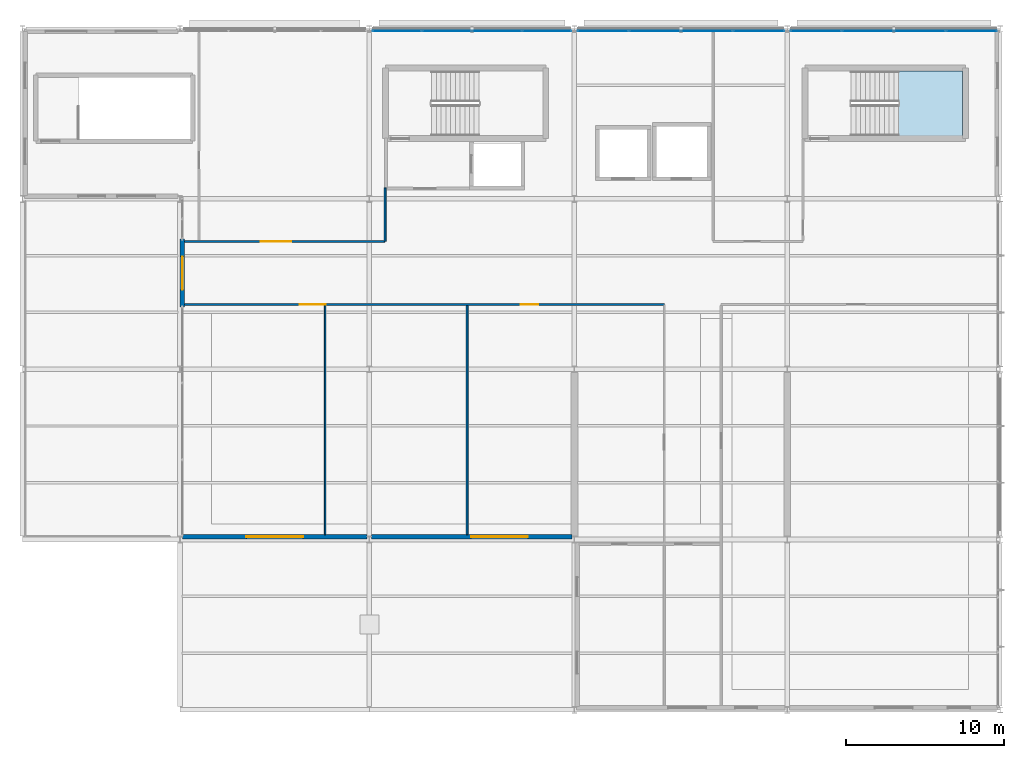
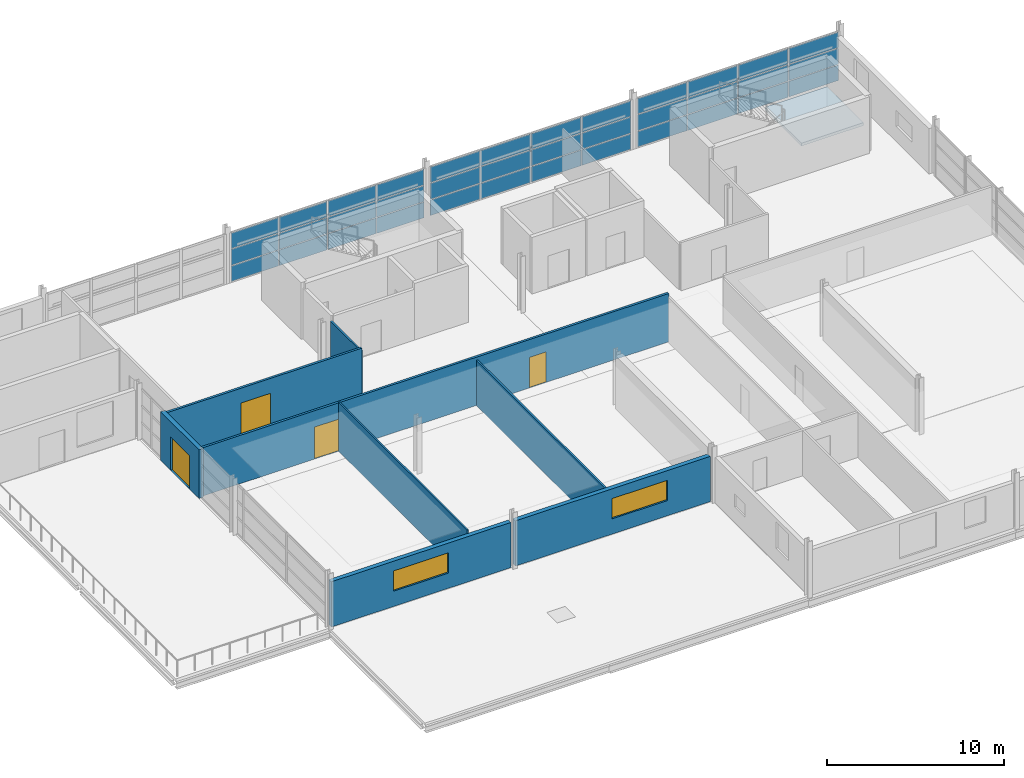
# One storey, part 27 of 33: 36 plates, 8 walls, 4 doors, 2 windows, 1 slab, 6 openings, 4 elements without a shape of their own.
"""IFC4 building model written with IfcOpenShell, lengths in metres."""

import ifcopenshell
import ifcopenshell.guid

model = None  # the IFC model being written
_history = None  # IfcOwnerHistory: only IFC2X3 demands one
_inside = {}  # id of a spatial element -> (the spatial element, [elements in it])
_under = {}  # id of a project, library or spatial element -> (it, [spatial elements below it])
_declared = {}  # id of a project -> (the project, [libraries it declares])
_typed = {}  # id of a type object -> (the type object, [elements of that type])
_made_of = {}  # id of a material, layer set ... -> (it, [elements and type objects made of it])


def new_model(schema):
    """Start an empty IFC model of exactly this schema.

    Asked for "IFC4X3", IfcOpenShell would pick the latest addendum, in which some entities
    have other attributes; the version numbers below select the first issue.
    IFC2X3 requires an IfcOwnerHistory on every rooted entity: one is made here for all.
    """
    global model, _history
    if schema == "IFC4X3":
        model = ifcopenshell.file(schema_version=(4, 3, 0, 0))
    else:
        model = ifcopenshell.file(schema=schema)
    _inside.clear()
    _under.clear()
    _declared.clear()
    _typed.clear()
    _made_of.clear()
    _history = None
    if model.schema == "IFC2X3":
        org = make("IfcOrganization", Name="unknown")
        user = make(
            "IfcPersonAndOrganization",
            ThePerson=make("IfcPerson", FamilyName="unknown"),
            TheOrganization=org,
        )
        app = make(
            "IfcApplication",
            ApplicationDeveloper=org,
            Version="unknown",
            ApplicationFullName="unknown",
            ApplicationIdentifier="unknown",
        )
        _history = make(
            "IfcOwnerHistory",
            OwningUser=user,
            OwningApplication=app,
            ChangeAction="ADDED",
            CreationDate=0,
        )
    return model


def make(cls, **values):
    """One entity of the class cls with the attributes given. An attribute that is None is left unset."""
    return model.create_entity(
        cls, **{name: value for name, value in values.items() if value is not None}
    )


def rooted(cls, **values):
    """An entity with a GlobalId (a new one), such as an element, a storey or a relation."""
    return make(cls, GlobalId=ifcopenshell.guid.new(), OwnerHistory=_history, **values)


def si_unit(unit_type, name, prefix=None):
    """IfcSIUnit, for example si_unit("LENGTHUNIT", "METRE", prefix="MILLI")."""
    return make("IfcSIUnit", UnitType=unit_type, Prefix=prefix, Name=name)


def assignment(units):
    """IfcUnitAssignment: the units of a project."""
    return None if units is None else make("IfcUnitAssignment", Units=units)


def point(xyz):
    """IfcCartesianPoint."""
    return None if xyz is None else make("IfcCartesianPoint", Coordinates=xyz)


def direction(xyz):
    """IfcDirection."""
    return None if xyz is None else make("IfcDirection", DirectionRatios=xyz)


def frame(location, z_axis=None, x_axis=None):
    """IfcAxis2Placement3D, a coordinate frame: its origin and axes. An axis left out is left unset."""
    return make(
        "IfcAxis2Placement3D",
        Location=point(location),
        Axis=direction(z_axis),
        RefDirection=direction(x_axis),
    )


def frame_2d(location, x_axis=None):
    """IfcAxis2Placement2D, a coordinate frame in the plane: its origin and x axis."""
    return make(
        "IfcAxis2Placement2D", Location=point(location), RefDirection=direction(x_axis)
    )


def origin():
    """The frame at (0, 0, 0) with its axes left unset."""
    return frame((0.0, 0.0, 0.0))


def origin_2d():
    """The frame at (0, 0) in the plane with its x axis left unset."""
    return frame_2d((0.0, 0.0))


def place(relative_to, where):
    """IfcLocalPlacement: puts the frame where relative to a parent placement (None: the world)."""
    return make(
        "IfcLocalPlacement", PlacementRelTo=relative_to, RelativePlacement=where
    )


def context(
    kind, dimensions, precision=None, world=None, true_north=None, identifier=None
):
    """IfcGeometricRepresentationContext, for example the 3D "Model" context."""
    return make(
        "IfcGeometricRepresentationContext",
        ContextIdentifier=identifier,
        ContextType=kind,
        CoordinateSpaceDimension=dimensions,
        Precision=precision,
        WorldCoordinateSystem=world,
        TrueNorth=true_north,
    )


def subcontext(parent, identifier, kind, view, scale=None):
    """IfcGeometricRepresentationSubContext, for example "Body" below "Model"."""
    return make(
        "IfcGeometricRepresentationSubContext",
        ContextIdentifier=identifier,
        ContextType=kind,
        ParentContext=parent,
        TargetScale=scale,
        TargetView=view,
    )


def project(units=None, contexts=None):
    """IfcProject with its units and contexts."""
    return rooted(
        "IfcProject",
        Name="project",
        RepresentationContexts=contexts,
        UnitsInContext=assignment(units),
    )


def spatial(cls, under=None, at=None, **own):
    """A site, building, storey or space (cls), placed at a placement, below another one or the project."""
    s = rooted(cls, ObjectPlacement=at, **own)
    if under is not None:
        _under.setdefault(under.id(), (under, []))[1].append(s)
    return s


def polyline(points):
    """IfcPolyline through the points."""
    return make("IfcPolyline", Points=[point(p) for p in points])


def profile(cls, at=None, kind="AREA", **sizes):
    """A parametric profile (cls). Its sizes go by their IFC names, for example OverallWidth=200.0."""
    return make(cls, ProfileType=kind, Position=at, **sizes)


def rectangle(**sizes):
    """IfcRectangleProfileDef."""
    return profile("IfcRectangleProfileDef", **sizes)


def outline(outer, holes=None, kind="AREA"):
    """IfcArbitraryClosedProfileDef: a profile drawn as a closed curve; with holes, ...WithVoids."""
    if holes is None:
        return make("IfcArbitraryClosedProfileDef", ProfileType=kind, OuterCurve=outer)
    return make(
        "IfcArbitraryProfileDefWithVoids",
        ProfileType=kind,
        OuterCurve=outer,
        InnerCurves=holes,
    )


def extrude(swept, where, along, depth):
    """IfcExtrudedAreaSolid: the profile swept, set in the frame where, extruded along a direction by depth."""
    return make(
        "IfcExtrudedAreaSolid",
        SweptArea=swept,
        Position=where,
        ExtrudedDirection=direction(along),
        Depth=depth,
    )


def shape(context_of_items, identifier, shape_type, items):
    """IfcShapeRepresentation: the items that make up one representation, for example the "Body"."""
    return make(
        "IfcShapeRepresentation",
        ContextOfItems=context_of_items,
        RepresentationIdentifier=identifier,
        RepresentationType=shape_type,
        Items=items,
    )


def material(Name=None, Category=None):
    """IfcMaterial."""
    return make("IfcMaterial", Name=Name, Category=Category)


def layer(
    of_material, thickness, ventilated=None, Name=None, Category=None, Priority=None
):
    """IfcMaterialLayer: one layer of a wall or slab, of a material (None: an air gap)."""
    return make(
        "IfcMaterialLayer",
        Material=of_material,
        LayerThickness=thickness,
        IsVentilated=ventilated,
        Name=Name,
        Category=Category,
        Priority=Priority,
    )


def layer_set(layers, Name=None):
    """IfcMaterialLayerSet."""
    return make("IfcMaterialLayerSet", MaterialLayers=layers, LayerSetName=Name)


def made_of(thing, what):
    """Note that an element or type object is made of a material, layer set ...; save() writes the relation."""
    if what is not None:
        _made_of.setdefault(what.id(), (what, []))[1].append(thing)
    return thing


def type_object(cls, material=None, **own):
    """A type object (cls), such as IfcWallType, which elements share."""
    return made_of(rooted(cls, **own), material)


def element(
    cls,
    number,
    at=None,
    inside=None,
    cuts=None,
    type_object=None,
    material=None,
    context=None,
    identifier="Body",
    shape_type=None,
    held_by="IfcProductDefinitionShape",
    body=None,
    shapes=None,
    **own,
):
    """One element of the class cls, such as IfcWall. Its Tag is "e" and its number.

    at: its placement. inside: the storey or other place that contains it. cuts: it is an
    opening in that element (IfcRelVoidsElement). A single representation is given by context,
    identifier, shape_type and body (its items); several are given by shapes. held_by: the class
    of the entity that holds the representations. save() writes the other relations.
    """
    e = rooted(cls, Tag="e%d" % number, ObjectPlacement=at, **own)
    if body is not None:
        shapes = [shape(context, identifier, shape_type, body)]
    if shapes is not None:
        e.Representation = make(held_by, Representations=shapes)
    if inside is not None:
        _inside.setdefault(inside.id(), (inside, []))[1].append(e)
    if cuts is not None:
        rooted(
            "IfcRelVoidsElement", RelatingBuildingElement=cuts, RelatedOpeningElement=e
        )
    if type_object is not None:
        _typed.setdefault(type_object.id(), (type_object, []))[1].append(e)
    return made_of(e, material)


def fill(opening, filler):
    """IfcRelFillsElement: the door or window that sits in an opening."""
    return rooted(
        "IfcRelFillsElement",
        RelatingOpeningElement=opening,
        RelatedBuildingElement=filler,
    )


def aggregate(whole, parts):
    """IfcRelAggregates: a whole, such as a stair, and the parts it consists of."""
    return rooted("IfcRelAggregates", RelatingObject=whole, RelatedObjects=parts)


def save(model, path):
    """Write the relations noted so far, then the file.

    IfcRelAggregates (storeys below a building ...), IfcRelContainedInSpatialStructure (elements
    in a storey), IfcRelDefinesByType, IfcRelAssociatesMaterial and IfcRelDeclares: one each for
    every whole, place, type object, material and project.
    """
    for whole, parts in _under.values():
        aggregate(whole, parts)
    for where, things in _inside.values():
        rooted(
            "IfcRelContainedInSpatialStructure",
            RelatedElements=things,
            RelatingStructure=where,
        )
    for kind, things in _typed.values():
        rooted("IfcRelDefinesByType", RelatedObjects=things, RelatingType=kind)
    for what, things in _made_of.values():
        rooted("IfcRelAssociatesMaterial", RelatedObjects=things, RelatingMaterial=what)
    for by, libraries in _declared.values():
        rooted("IfcRelDeclares", RelatingContext=by, RelatedDefinitions=libraries)
    model.write(path)


model = new_model("IFC4")

# Units and contexts
model_context = context("Model", 3, precision=1e-05, world=origin(), true_north=direction((0.0, 1.0)))
body_context = subcontext(model_context, "Body", "Model", "MODEL_VIEW")
ifc_project = project(units=[si_unit("LENGTHUNIT", "METRE"), si_unit("AREAUNIT", "SQUARE_METRE"), si_unit("VOLUMEUNIT", "CUBIC_METRE"), si_unit("PLANEANGLEUNIT", "RADIAN"), si_unit("MASSUNIT", "GRAM", prefix="KILO")], contexts=[model_context])

# Site, building, storey
site_placement = place(None, origin())
site = spatial("IfcSite", under=ifc_project, at=site_placement, CompositionType="ELEMENT")
building_placement = place(site_placement, origin())
building = spatial("IfcBuilding", under=site, at=building_placement, Name="Tamarisk Ironworks Central Station", CompositionType="ELEMENT")
storey_placement = place(building_placement, frame((0.0, 0.0, 21.300048828125)))
storey = spatial("IfcBuildingStorey", under=building, at=storey_placement, Name="L04", CompositionType="ELEMENT", Elevation=21.300048828125)

# Curtain wall, plates
ifc_material_1 = material(Name="Anodized aluminium alloy 6063-T6", Category="aluminium")
ifc_layer_1 = layer(ifc_material_1, 0.179931640625)
ifc_layer_set_1 = layer_set([ifc_layer_1], Name="Anodized aluminium alloy 6063-T6")
curtain_wall_type = type_object("IfcCurtainWallType", Name="CW-19", PredefinedType="USERDEFINED", material=ifc_layer_set_1)
curtain_wall_1_placement = place(storey_placement, origin())
curtain_wall_1 = element("IfcCurtainWall", 1, at=curtain_wall_1_placement, inside=storey, type_object=curtain_wall_type, Name="Operations L04 north facade curtain wall 140", ObjectType="GLAZED CURTAIN WALL", PredefinedType="USERDEFINED")
ifc_material_2 = material(Name="Laminated solar-control low-E glass", Category="glass")
ifc_layer_2 = layer(ifc_material_2, 0.028076171875)
ifc_layer_set_2 = layer_set([ifc_layer_2], Name="Laminated solar-control low-E glass")
plate_type = type_object("IfcPlateType", Name="PL-CWP28", PredefinedType="CURTAIN_PANEL", material=ifc_layer_set_2)
plate_1_placement = place(storey_placement, frame((141.752197265625, 122.25, 0.058837890625), z_axis=(0.0, 0.0, 1.0), x_axis=(1.0, 0.0, 0.0)))
plate_1 = element("IfcPlate", 2, at=plate_1_placement, type_object=plate_type, Name="CW19 panel 1.1", PredefinedType="CURTAIN_PANEL", context=body_context, shape_type="SweptSolid", body=[
    extrude(rectangle(XDim=3.090576171875, YDim=0.028076171875, at=origin_2d()), origin(), (0.0, 0.0, 1.0), 1.06787109375),
])
plate_2_placement = place(storey_placement, frame((141.752197265625, 122.25, 1.1796875), z_axis=(0.0, 0.0, 1.0), x_axis=(1.0, 0.0, 0.0)))
plate_2 = element("IfcPlate", 3, at=plate_2_placement, type_object=plate_type, Name="CW19 panel 1.2", PredefinedType="CURTAIN_PANEL", context=body_context, shape_type="SweptSolid", body=[
    extrude(rectangle(XDim=3.090576171875, YDim=0.028076171875, at=origin_2d()), origin(), (0.0, 0.0, 1.0), 1.100341796875),
])
plate_3_placement = place(storey_placement, frame((141.752197265625, 122.25, 2.3330078125), z_axis=(0.0, 0.0, 1.0), x_axis=(1.0, 0.0, 0.0)))
plate_3 = element("IfcPlate", 4, at=plate_3_placement, type_object=plate_type, Name="CW19 panel 1.3", PredefinedType="CURTAIN_PANEL", context=body_context, shape_type="SweptSolid", body=[
    extrude(rectangle(XDim=3.090576171875, YDim=0.028076171875, at=origin_2d()), origin(), (0.0, 0.0, 1.0), 1.06787109375),
])
plate_4_placement = place(storey_placement, frame((144.912109375, 122.25, 0.058837890625), z_axis=(0.0, 0.0, 1.0), x_axis=(1.0, 0.0, 0.0)))
plate_4 = element("IfcPlate", 5, at=plate_4_placement, type_object=plate_type, Name="CW19 panel 2.1", PredefinedType="CURTAIN_PANEL", context=body_context, shape_type="SweptSolid", body=[
    extrude(rectangle(XDim=3.123046875, YDim=0.028076171875, at=origin_2d()), origin(), (0.0, 0.0, 1.0), 1.06787109375),
])
plate_5_placement = place(storey_placement, frame((144.912109375, 122.25, 1.1796875), z_axis=(0.0, 0.0, 1.0), x_axis=(1.0, 0.0, 0.0)))
plate_5 = element("IfcPlate", 6, at=plate_5_placement, type_object=plate_type, Name="CW19 panel 2.2", PredefinedType="CURTAIN_PANEL", context=body_context, shape_type="SweptSolid", body=[
    extrude(rectangle(XDim=3.123046875, YDim=0.028076171875, at=origin_2d()), origin(), (0.0, 0.0, 1.0), 1.100341796875),
])
plate_6_placement = place(storey_placement, frame((144.912109375, 122.25, 2.3330078125), z_axis=(0.0, 0.0, 1.0), x_axis=(1.0, 0.0, 0.0)))
plate_6 = element("IfcPlate", 7, at=plate_6_placement, type_object=plate_type, Name="CW19 panel 2.3", PredefinedType="CURTAIN_PANEL", context=body_context, shape_type="SweptSolid", body=[
    extrude(rectangle(XDim=3.123046875, YDim=0.028076171875, at=origin_2d()), origin(), (0.0, 0.0, 1.0), 1.06787109375),
])
plate_7_placement = place(storey_placement, frame((148.087890625, 122.25, 0.058837890625), z_axis=(0.0, 0.0, 1.0), x_axis=(1.0, 0.0, 0.0)))
plate_7 = element("IfcPlate", 8, at=plate_7_placement, type_object=plate_type, Name="CW19 panel 3.1", PredefinedType="CURTAIN_PANEL", context=body_context, shape_type="SweptSolid", body=[
    extrude(rectangle(XDim=3.123046875, YDim=0.028076171875, at=origin_2d()), origin(), (0.0, 0.0, 1.0), 1.06787109375),
])
plate_8_placement = place(storey_placement, frame((148.087890625, 122.25, 1.1796875), z_axis=(0.0, 0.0, 1.0), x_axis=(1.0, 0.0, 0.0)))
plate_8 = element("IfcPlate", 9, at=plate_8_placement, type_object=plate_type, Name="CW19 panel 3.2", PredefinedType="CURTAIN_PANEL", context=body_context, shape_type="SweptSolid", body=[
    extrude(rectangle(XDim=3.123046875, YDim=0.028076171875, at=origin_2d()), origin(), (0.0, 0.0, 1.0), 1.100341796875),
])
plate_9_placement = place(storey_placement, frame((148.087890625, 122.25, 2.3330078125), z_axis=(0.0, 0.0, 1.0), x_axis=(1.0, 0.0, 0.0)))
plate_9 = element("IfcPlate", 10, at=plate_9_placement, type_object=plate_type, Name="CW19 panel 3.3", PredefinedType="CURTAIN_PANEL", context=body_context, shape_type="SweptSolid", body=[
    extrude(rectangle(XDim=3.123046875, YDim=0.028076171875, at=origin_2d()), origin(), (0.0, 0.0, 1.0), 1.06787109375),
])
plate_10_placement = place(storey_placement, frame((151.247802734375, 122.25, 0.058837890625), z_axis=(0.0, 0.0, 1.0), x_axis=(1.0, 0.0, 0.0)))
plate_10 = element("IfcPlate", 11, at=plate_10_placement, type_object=plate_type, Name="CW19 panel 4.1", PredefinedType="CURTAIN_PANEL", context=body_context, shape_type="SweptSolid", body=[
    extrude(rectangle(XDim=3.090576171875, YDim=0.028076171875, at=origin_2d()), origin(), (0.0, 0.0, 1.0), 1.06787109375),
])
plate_11_placement = place(storey_placement, frame((151.247802734375, 122.25, 1.1796875), z_axis=(0.0, 0.0, 1.0), x_axis=(1.0, 0.0, 0.0)))
plate_11 = element("IfcPlate", 12, at=plate_11_placement, type_object=plate_type, Name="CW19 panel 4.2", PredefinedType="CURTAIN_PANEL", context=body_context, shape_type="SweptSolid", body=[
    extrude(rectangle(XDim=3.090576171875, YDim=0.028076171875, at=origin_2d()), origin(), (0.0, 0.0, 1.0), 1.100341796875),
])
plate_12_placement = place(storey_placement, frame((151.247802734375, 122.25, 2.3330078125), z_axis=(0.0, 0.0, 1.0), x_axis=(1.0, 0.0, 0.0)))
plate_12 = element("IfcPlate", 13, at=plate_12_placement, type_object=plate_type, Name="CW19 panel 4.3", PredefinedType="CURTAIN_PANEL", context=body_context, shape_type="SweptSolid", body=[
    extrude(rectangle(XDim=3.090576171875, YDim=0.028076171875, at=origin_2d()), origin(), (0.0, 0.0, 1.0), 1.06787109375),
])
aggregate(curtain_wall_1, [plate_1, plate_2, plate_3, plate_4, plate_5, plate_6, plate_7, plate_8, plate_9, plate_10, plate_11, plate_12])

curtain_wall_2_placement = place(storey_placement, origin())
curtain_wall_2 = element("IfcCurtainWall", 14, at=curtain_wall_2_placement, inside=storey, type_object=curtain_wall_type, Name="Operations L04 north facade curtain wall 153", ObjectType="GLAZED CURTAIN WALL", PredefinedType="USERDEFINED")
plate_13_placement = place(storey_placement, frame((154.814697265625, 122.25, 0.058837890625), z_axis=(0.0, 0.0, 1.0), x_axis=(1.0, 0.0, 0.0)))
plate_13 = element("IfcPlate", 15, at=plate_13_placement, type_object=plate_type, Name="CW19 panel 1.1", PredefinedType="CURTAIN_PANEL", context=body_context, shape_type="SweptSolid", body=[
    extrude(rectangle(XDim=3.215576171875, YDim=0.028076171875, at=origin_2d()), origin(), (0.0, 0.0, 1.0), 1.06787109375),
])
plate_14_placement = place(storey_placement, frame((154.814697265625, 122.25, 1.1796875), z_axis=(0.0, 0.0, 1.0), x_axis=(1.0, 0.0, 0.0)))
plate_14 = element("IfcPlate", 16, at=plate_14_placement, type_object=plate_type, Name="CW19 panel 1.2", PredefinedType="CURTAIN_PANEL", context=body_context, shape_type="SweptSolid", body=[
    extrude(rectangle(XDim=3.215576171875, YDim=0.028076171875, at=origin_2d()), origin(), (0.0, 0.0, 1.0), 1.100341796875),
])
plate_15_placement = place(storey_placement, frame((154.814697265625, 122.25, 2.3330078125), z_axis=(0.0, 0.0, 1.0), x_axis=(1.0, 0.0, 0.0)))
plate_15 = element("IfcPlate", 17, at=plate_15_placement, type_object=plate_type, Name="CW19 panel 1.3", PredefinedType="CURTAIN_PANEL", context=body_context, shape_type="SweptSolid", body=[
    extrude(rectangle(XDim=3.215576171875, YDim=0.028076171875, at=origin_2d()), origin(), (0.0, 0.0, 1.0), 1.06787109375),
])
plate_16_placement = place(storey_placement, frame((158.099609375, 122.25, 0.058837890625), z_axis=(0.0, 0.0, 1.0), x_axis=(1.0, 0.0, 0.0)))
plate_16 = element("IfcPlate", 18, at=plate_16_placement, type_object=plate_type, Name="CW19 panel 2.1", PredefinedType="CURTAIN_PANEL", context=body_context, shape_type="SweptSolid", body=[
    extrude(rectangle(XDim=3.248046875, YDim=0.028076171875, at=origin_2d()), origin(), (0.0, 0.0, 1.0), 1.06787109375),
])
plate_17_placement = place(storey_placement, frame((158.099609375, 122.25, 1.1796875), z_axis=(0.0, 0.0, 1.0), x_axis=(1.0, 0.0, 0.0)))
plate_17 = element("IfcPlate", 19, at=plate_17_placement, type_object=plate_type, Name="CW19 panel 2.2", PredefinedType="CURTAIN_PANEL", context=body_context, shape_type="SweptSolid", body=[
    extrude(rectangle(XDim=3.248046875, YDim=0.028076171875, at=origin_2d()), origin(), (0.0, 0.0, 1.0), 1.100341796875),
])
plate_18_placement = place(storey_placement, frame((158.099609375, 122.25, 2.3330078125), z_axis=(0.0, 0.0, 1.0), x_axis=(1.0, 0.0, 0.0)))
plate_18 = element("IfcPlate", 20, at=plate_18_placement, type_object=plate_type, Name="CW19 panel 2.3", PredefinedType="CURTAIN_PANEL", context=body_context, shape_type="SweptSolid", body=[
    extrude(rectangle(XDim=3.248046875, YDim=0.028076171875, at=origin_2d()), origin(), (0.0, 0.0, 1.0), 1.06787109375),
])
plate_19_placement = place(storey_placement, frame((161.400390625, 122.25, 0.058837890625), z_axis=(0.0, 0.0, 1.0), x_axis=(1.0, 0.0, 0.0)))
plate_19 = element("IfcPlate", 21, at=plate_19_placement, type_object=plate_type, Name="CW19 panel 3.1", PredefinedType="CURTAIN_PANEL", context=body_context, shape_type="SweptSolid", body=[
    extrude(rectangle(XDim=3.248046875, YDim=0.028076171875, at=origin_2d()), origin(), (0.0, 0.0, 1.0), 1.06787109375),
])
plate_20_placement = place(storey_placement, frame((161.400390625, 122.25, 1.1796875), z_axis=(0.0, 0.0, 1.0), x_axis=(1.0, 0.0, 0.0)))
plate_20 = element("IfcPlate", 22, at=plate_20_placement, type_object=plate_type, Name="CW19 panel 3.2", PredefinedType="CURTAIN_PANEL", context=body_context, shape_type="SweptSolid", body=[
    extrude(rectangle(XDim=3.248046875, YDim=0.028076171875, at=origin_2d()), origin(), (0.0, 0.0, 1.0), 1.100341796875),
])
plate_21_placement = place(storey_placement, frame((161.400390625, 122.25, 2.3330078125), z_axis=(0.0, 0.0, 1.0), x_axis=(1.0, 0.0, 0.0)))
plate_21 = element("IfcPlate", 23, at=plate_21_placement, type_object=plate_type, Name="CW19 panel 3.3", PredefinedType="CURTAIN_PANEL", context=body_context, shape_type="SweptSolid", body=[
    extrude(rectangle(XDim=3.248046875, YDim=0.028076171875, at=origin_2d()), origin(), (0.0, 0.0, 1.0), 1.06787109375),
])
plate_22_placement = place(storey_placement, frame((164.685302734375, 122.25, 0.058837890625), z_axis=(0.0, 0.0, 1.0), x_axis=(1.0, 0.0, 0.0)))
plate_22 = element("IfcPlate", 24, at=plate_22_placement, type_object=plate_type, Name="CW19 panel 4.1", PredefinedType="CURTAIN_PANEL", context=body_context, shape_type="SweptSolid", body=[
    extrude(rectangle(XDim=3.215576171875, YDim=0.028076171875, at=origin_2d()), origin(), (0.0, 0.0, 1.0), 1.06787109375),
])
plate_23_placement = place(storey_placement, frame((164.685302734375, 122.25, 1.1796875), z_axis=(0.0, 0.0, 1.0), x_axis=(1.0, 0.0, 0.0)))
plate_23 = element("IfcPlate", 25, at=plate_23_placement, type_object=plate_type, Name="CW19 panel 4.2", PredefinedType="CURTAIN_PANEL", context=body_context, shape_type="SweptSolid", body=[
    extrude(rectangle(XDim=3.215576171875, YDim=0.028076171875, at=origin_2d()), origin(), (0.0, 0.0, 1.0), 1.100341796875),
])
plate_24_placement = place(storey_placement, frame((164.685302734375, 122.25, 2.3330078125), z_axis=(0.0, 0.0, 1.0), x_axis=(1.0, 0.0, 0.0)))
plate_24 = element("IfcPlate", 26, at=plate_24_placement, type_object=plate_type, Name="CW19 panel 4.3", PredefinedType="CURTAIN_PANEL", context=body_context, shape_type="SweptSolid", body=[
    extrude(rectangle(XDim=3.215576171875, YDim=0.028076171875, at=origin_2d()), origin(), (0.0, 0.0, 1.0), 1.06787109375),
])
aggregate(curtain_wall_2, [plate_13, plate_14, plate_15, plate_16, plate_17, plate_18, plate_19, plate_20, plate_21, plate_22, plate_23, plate_24])

curtain_wall_3_placement = place(storey_placement, origin())
curtain_wall_3 = element("IfcCurtainWall", 27, at=curtain_wall_3_placement, inside=storey, type_object=curtain_wall_type, Name="Operations L04 north facade curtain wall 166", ObjectType="GLAZED CURTAIN WALL", PredefinedType="USERDEFINED")
plate_25_placement = place(storey_placement, frame((168.314697265625, 122.25, 0.058837890625), z_axis=(0.0, 0.0, 1.0), x_axis=(1.0, 0.0, 0.0)))
plate_25 = element("IfcPlate", 28, at=plate_25_placement, type_object=plate_type, Name="CW19 panel 1.1", PredefinedType="CURTAIN_PANEL", context=body_context, shape_type="SweptSolid", body=[
    extrude(rectangle(XDim=3.215576171875, YDim=0.028076171875, at=origin_2d()), origin(), (0.0, 0.0, 1.0), 1.06787109375),
])
plate_26_placement = place(storey_placement, frame((168.314697265625, 122.25, 1.1796875), z_axis=(0.0, 0.0, 1.0), x_axis=(1.0, 0.0, 0.0)))
plate_26 = element("IfcPlate", 29, at=plate_26_placement, type_object=plate_type, Name="CW19 panel 1.2", PredefinedType="CURTAIN_PANEL", context=body_context, shape_type="SweptSolid", body=[
    extrude(rectangle(XDim=3.215576171875, YDim=0.028076171875, at=origin_2d()), origin(), (0.0, 0.0, 1.0), 1.100341796875),
])
plate_27_placement = place(storey_placement, frame((168.314697265625, 122.25, 2.3330078125), z_axis=(0.0, 0.0, 1.0), x_axis=(1.0, 0.0, 0.0)))
plate_27 = element("IfcPlate", 30, at=plate_27_placement, type_object=plate_type, Name="CW19 panel 1.3", PredefinedType="CURTAIN_PANEL", context=body_context, shape_type="SweptSolid", body=[
    extrude(rectangle(XDim=3.215576171875, YDim=0.028076171875, at=origin_2d()), origin(), (0.0, 0.0, 1.0), 1.06787109375),
])
plate_28_placement = place(storey_placement, frame((171.599609375, 122.25, 0.058837890625), z_axis=(0.0, 0.0, 1.0), x_axis=(1.0, 0.0, 0.0)))
plate_28 = element("IfcPlate", 31, at=plate_28_placement, type_object=plate_type, Name="CW19 panel 2.1", PredefinedType="CURTAIN_PANEL", context=body_context, shape_type="SweptSolid", body=[
    extrude(rectangle(XDim=3.248046875, YDim=0.028076171875, at=origin_2d()), origin(), (0.0, 0.0, 1.0), 1.06787109375),
])
plate_29_placement = place(storey_placement, frame((171.599609375, 122.25, 1.1796875), z_axis=(0.0, 0.0, 1.0), x_axis=(1.0, 0.0, 0.0)))
plate_29 = element("IfcPlate", 32, at=plate_29_placement, type_object=plate_type, Name="CW19 panel 2.2", PredefinedType="CURTAIN_PANEL", context=body_context, shape_type="SweptSolid", body=[
    extrude(rectangle(XDim=3.248046875, YDim=0.028076171875, at=origin_2d()), origin(), (0.0, 0.0, 1.0), 1.100341796875),
])
plate_30_placement = place(storey_placement, frame((171.599609375, 122.25, 2.3330078125), z_axis=(0.0, 0.0, 1.0), x_axis=(1.0, 0.0, 0.0)))
plate_30 = element("IfcPlate", 33, at=plate_30_placement, type_object=plate_type, Name="CW19 panel 2.3", PredefinedType="CURTAIN_PANEL", context=body_context, shape_type="SweptSolid", body=[
    extrude(rectangle(XDim=3.248046875, YDim=0.028076171875, at=origin_2d()), origin(), (0.0, 0.0, 1.0), 1.06787109375),
])
plate_31_placement = place(storey_placement, frame((174.900390625, 122.25, 0.058837890625), z_axis=(0.0, 0.0, 1.0), x_axis=(1.0, 0.0, 0.0)))
plate_31 = element("IfcPlate", 34, at=plate_31_placement, type_object=plate_type, Name="CW19 panel 3.1", PredefinedType="CURTAIN_PANEL", context=body_context, shape_type="SweptSolid", body=[
    extrude(rectangle(XDim=3.248046875, YDim=0.028076171875, at=origin_2d()), origin(), (0.0, 0.0, 1.0), 1.06787109375),
])
plate_32_placement = place(storey_placement, frame((174.900390625, 122.25, 1.1796875), z_axis=(0.0, 0.0, 1.0), x_axis=(1.0, 0.0, 0.0)))
plate_32 = element("IfcPlate", 35, at=plate_32_placement, type_object=plate_type, Name="CW19 panel 3.2", PredefinedType="CURTAIN_PANEL", context=body_context, shape_type="SweptSolid", body=[
    extrude(rectangle(XDim=3.248046875, YDim=0.028076171875, at=origin_2d()), origin(), (0.0, 0.0, 1.0), 1.100341796875),
])
plate_33_placement = place(storey_placement, frame((174.900390625, 122.25, 2.3330078125), z_axis=(0.0, 0.0, 1.0), x_axis=(1.0, 0.0, 0.0)))
plate_33 = element("IfcPlate", 36, at=plate_33_placement, type_object=plate_type, Name="CW19 panel 3.3", PredefinedType="CURTAIN_PANEL", context=body_context, shape_type="SweptSolid", body=[
    extrude(rectangle(XDim=3.248046875, YDim=0.028076171875, at=origin_2d()), origin(), (0.0, 0.0, 1.0), 1.06787109375),
])
plate_34_placement = place(storey_placement, frame((178.185302734375, 122.25, 0.058837890625), z_axis=(0.0, 0.0, 1.0), x_axis=(1.0, 0.0, 0.0)))
plate_34 = element("IfcPlate", 37, at=plate_34_placement, type_object=plate_type, Name="CW19 panel 4.1", PredefinedType="CURTAIN_PANEL", context=body_context, shape_type="SweptSolid", body=[
    extrude(rectangle(XDim=3.215576171875, YDim=0.028076171875, at=origin_2d()), origin(), (0.0, 0.0, 1.0), 1.06787109375),
])
plate_35_placement = place(storey_placement, frame((178.185302734375, 122.25, 1.1796875), z_axis=(0.0, 0.0, 1.0), x_axis=(1.0, 0.0, 0.0)))
plate_35 = element("IfcPlate", 38, at=plate_35_placement, type_object=plate_type, Name="CW19 panel 4.2", PredefinedType="CURTAIN_PANEL", context=body_context, shape_type="SweptSolid", body=[
    extrude(rectangle(XDim=3.215576171875, YDim=0.028076171875, at=origin_2d()), origin(), (0.0, 0.0, 1.0), 1.100341796875),
])
plate_36_placement = place(storey_placement, frame((178.185302734375, 122.25, 2.3330078125), z_axis=(0.0, 0.0, 1.0), x_axis=(1.0, 0.0, 0.0)))
plate_36 = element("IfcPlate", 39, at=plate_36_placement, type_object=plate_type, Name="CW19 panel 4.3", PredefinedType="CURTAIN_PANEL", context=body_context, shape_type="SweptSolid", body=[
    extrude(rectangle(XDim=3.215576171875, YDim=0.028076171875, at=origin_2d()), origin(), (0.0, 0.0, 1.0), 1.06787109375),
])
aggregate(curtain_wall_3, [plate_25, plate_26, plate_27, plate_28, plate_29, plate_30, plate_31, plate_32, plate_33, plate_34, plate_35, plate_36])

# Stair, slab
ifc_material_3 = material(Name="Concrete C35/45", Category="concrete")
stair_type = type_object("IfcStairType", Name="ST-CORE-A", PredefinedType="HALF_TURN_STAIR", material=ifc_material_3)
stair_placement = place(storey_placement, origin())
stair = element("IfcStair", 40, at=stair_placement, inside=storey, type_object=stair_type, Name="L04 East Operations Exit Stair Core 2", PredefinedType="HALF_TURN_STAIR")
ifc_layer_3 = layer(ifc_material_3, 0.215087890625)
ifc_layer_set_3 = layer_set([ifc_layer_3], Name="Concrete C35/45")
slab_type = type_object("IfcSlabType", Name="SL-LD220", PredefinedType="LANDING", material=ifc_layer_set_3)
slab_placement = place(storey_placement, frame((0.0, 0.0, 1.75)))
slab = element("IfcSlab", 41, at=slab_placement, type_object=slab_type, Name="ST-C2 landing 1", PredefinedType="LANDING", context=body_context, shape_type="SweptSolid", body=[
    extrude(outline(polyline([(173.550048828125, 115.60009765625), (177.60009765625, 115.60009765625), (177.60009765625, 119.699951171875), (173.550048828125, 119.699951171875), (173.550048828125, 115.60009765625)])), origin(), (0.0, 0.0, 1.0), 0.199951171875),
])
aggregate(stair, [slab])

# Wall, opening, window
ifc_material_4 = material(Name="Clay facing brickwork and mortar", Category="masonry")
ifc_layer_4 = layer(ifc_material_4, 0.280029296875)
ifc_layer_set_4 = layer_set([ifc_layer_4], Name="Clay facing brickwork and mortar")
wall_type_1 = type_object("IfcWallType", Name="WL-BR280", PredefinedType="STANDARD", material=ifc_layer_set_4)
wall_1_placement = place(storey_placement, frame((128.14794921875, 90.169921875, 0.0), z_axis=(0.0, 0.0, 1.0), x_axis=(1.0, 0.0, 0.0)))
wall_1 = element("IfcWall", 42, at=wall_1_placement, inside=storey, type_object=wall_type_1, Name="L04 brick facade wall 0094", PredefinedType="STANDARD", context=body_context, shape_type="SweptSolid", body=[
    extrude(rectangle(XDim=11.7041015625, YDim=0.280029296875, at=frame_2d((5.85205078125, 0.0))), origin(), (0.0, 0.0, 1.0), 3.119873046875),
])
opening_1_placement = place(wall_1_placement, frame((4.052001953125, 0.0, 1.050048828125)))
opening_1 = element("IfcOpeningElement", 43, at=opening_1_placement, cuts=wall_1, Name="Opening W15", PredefinedType="OPENING", context=body_context, shape_type="SweptSolid", body=[
    extrude(rectangle(XDim=3.60009765625, YDim=1.39990234375, at=frame_2d((1.800048828125, 0.699951171875))), frame((0.0, 0.15185546875, 0.0), z_axis=(0.0, -1.0, 0.0), x_axis=(1.0, 0.0, 0.0)), (0.0, 0.0, 1.0), 0.303955078125),
])
window_type = type_object("IfcWindowType", Name="WN-15", PartitioningType="SINGLE_PANEL", PredefinedType="WINDOW", material=ifc_material_2)
window_1_placement = place(opening_1_placement, origin())
window_1 = element("IfcWindow", 44, at=window_1_placement, inside=storey, type_object=window_type, Name="L04 exterior window 0161", OverallHeight=1.39990234375, OverallWidth=3.60009765625, PartitioningType="DOUBLE_PANEL_VERTICAL", PredefinedType="WINDOW", context=body_context, shape_type="SweptSolid", body=[
    extrude(rectangle(XDim=3.60009765625, YDim=1.39990234375, at=frame_2d((1.800048828125, 0.699951171875))), frame((0.0, 0.030029296875, 0.0), z_axis=(0.0, -1.0, 0.0), x_axis=(1.0, 0.0, 0.0)), (0.0, 0.0, 1.0), 0.06005859375),
])
fill(opening_1, window_1)

wall_2_placement = place(storey_placement, frame((140.14794921875, 90.169921875, 0.0), z_axis=(0.0, 0.0, 1.0), x_axis=(1.0, 0.0, 0.0)))
wall_2 = element("IfcWall", 45, at=wall_2_placement, inside=storey, type_object=wall_type_1, Name="L04 brick facade wall 0095", PredefinedType="STANDARD", context=body_context, shape_type="SweptSolid", body=[
    extrude(rectangle(XDim=12.7041015625, YDim=0.280029296875, at=frame_2d((6.35205078125, 0.0))), origin(), (0.0, 0.0, 1.0), 3.119873046875),
])
opening_2_placement = place(wall_2_placement, frame((6.302001953125, 0.0, 1.050048828125)))
opening_2 = element("IfcOpeningElement", 46, at=opening_2_placement, cuts=wall_2, Name="Opening W15", PredefinedType="OPENING", context=body_context, shape_type="SweptSolid", body=[
    extrude(rectangle(XDim=3.60009765625, YDim=1.39990234375, at=frame_2d((1.800048828125, 0.699951171875))), frame((0.0, 0.15185546875, 0.0), z_axis=(0.0, -1.0, 0.0), x_axis=(1.0, 0.0, 0.0)), (0.0, 0.0, 1.0), 0.303955078125),
])
window_2_placement = place(opening_2_placement, origin())
window_2 = element("IfcWindow", 47, at=window_2_placement, inside=storey, type_object=window_type, Name="L04 exterior window 0162", OverallHeight=1.39990234375, OverallWidth=3.60009765625, PartitioningType="DOUBLE_PANEL_VERTICAL", PredefinedType="WINDOW", context=body_context, shape_type="SweptSolid", body=[
    extrude(rectangle(XDim=3.60009765625, YDim=1.39990234375, at=frame_2d((1.800048828125, 0.699951171875))), frame((0.0, 0.030029296875, 0.0), z_axis=(0.0, -1.0, 0.0), x_axis=(1.0, 0.0, 0.0)), (0.0, 0.0, 1.0), 0.06005859375),
])
fill(opening_2, window_2)

# Wall, opening, door
wall_3_placement = place(storey_placement, frame((128.14990234375, 104.72998046875, 0.0), z_axis=(0.0, 0.0, 1.0), x_axis=(0.0, 1.0, 0.0)))
wall_3 = element("IfcWall", 48, at=wall_3_placement, inside=storey, type_object=wall_type_1, Name="L04 brick facade wall 0103", PredefinedType="STANDARD", context=body_context, shape_type="SweptSolid", body=[
    extrude(rectangle(XDim=4.340087890625, YDim=0.280029296875, at=frame_2d((2.169921875, 0.0))), origin(), (0.0, 0.0, 1.0), 3.349853515625),
])
opening_3_placement = place(wall_3_placement, frame((1.10009765625, 0.0, 0.0048828125)))
opening_3 = element("IfcOpeningElement", 49, at=opening_3_placement, cuts=wall_3, Name="Opening TD01", PredefinedType="OPENING", context=body_context, shape_type="SweptSolid", body=[
    extrude(rectangle(XDim=2.10009765625, YDim=2.300048828125, at=frame_2d((1.050048828125, 1.14990234375))), frame((0.0, 0.15185546875, 0.0), z_axis=(0.0, -1.0, 0.0), x_axis=(1.0, 0.0, 0.0)), (0.0, 0.0, 1.0), 0.303955078125),
])
door_type_1 = type_object("IfcDoorType", Name="DR-TD01", OperationType="NOTDEFINED", PredefinedType="DOOR", material=ifc_material_1)
door_1_placement = place(opening_3_placement, origin())
door_1 = element("IfcDoor", 50, at=door_1_placement, inside=storey, type_object=door_type_1, Name="L04 exterior entrance door 0015", OperationType="SINGLE_SWING_LEFT", OverallHeight=2.300048828125, OverallWidth=2.10009765625, PredefinedType="DOOR", context=body_context, shape_type="SweptSolid", body=[
    extrude(rectangle(XDim=2.10009765625, YDim=2.300048828125, at=frame_2d((1.050048828125, 1.14990234375))), frame((0.0, 0.02490234375, 0.0), z_axis=(0.0, -1.0, 0.0), x_axis=(1.0, 0.0, 0.0)), (0.0, 0.0, 1.0), 0.050048828125),
])
fill(opening_3, door_1)

# Walls
ifc_material_5 = material(Name="Gypsum plasterboard acoustic partition")
ifc_layer_5 = layer(ifc_material_5, 0.10009765625)
ifc_layer_set_5 = layer_set([ifc_layer_5], Name="Gypsum plasterboard acoustic partition")
wall_type_2 = type_object("IfcWallType", Name="WL-MV100", PredefinedType="MOVABLE", material=ifc_layer_set_5)
wall_4_placement = place(storey_placement, frame((137.199951171875, 90.30810546875, 0.0), z_axis=(0.0, 0.0, 1.0), x_axis=(0.0, 1.0, 0.0)))
element("IfcWall", 51, at=wall_4_placement, inside=storey, type_object=wall_type_2, Name="L04 acoustic operable folding partition 05", PredefinedType="MOVABLE", context=body_context, shape_type="SweptSolid", body=[
    extrude(rectangle(XDim=14.518798828125, YDim=0.10009765625, at=frame_2d((7.25927734375, 0.0))), origin(), (0.0, 0.0, 1.0), 3.369873046875),
])
ifc_layer_6 = layer(ifc_material_5, 0.1201171875)
ifc_layer_set_6 = layer_set([ifc_layer_6], Name="Gypsum plasterboard acoustic partition")
wall_type_3 = type_object("IfcWallType", Name="WL-PT120", PredefinedType="PARTITIONING", material=ifc_layer_set_6)
wall_5_placement = place(storey_placement, frame((141.0, 108.89990234375, 0.0), z_axis=(0.0, 0.0, 1.0), x_axis=(0.0, 1.0, 0.0)))
element("IfcWall", 52, at=wall_5_placement, inside=storey, type_object=wall_type_3, Name="L04 interior partition 0120", PredefinedType="PARTITIONING", context=body_context, shape_type="SweptSolid", body=[
    extrude(rectangle(XDim=3.400146484375, YDim=0.1201171875, at=frame_2d((1.7001953125, 0.0))), origin(), (0.0, 0.0, 1.0), 3.119873046875),
])
wall_6_placement = place(storey_placement, frame((146.199951171875, 90.30810546875, 0.0), z_axis=(0.0, 0.0, 1.0), x_axis=(0.0, 1.0, 0.0)))
element("IfcWall", 53, at=wall_6_placement, inside=storey, type_object=wall_type_3, Name="L04 interior partition 0125", PredefinedType="PARTITIONING", context=body_context, shape_type="SweptSolid", body=[
    extrude(rectangle(XDim=14.518798828125, YDim=0.1201171875, at=frame_2d((7.25927734375, 0.0))), origin(), (0.0, 0.0, 1.0), 3.119873046875),
])

# Wall, openings, doors
ifc_layer_7 = layer(ifc_material_5, 0.14990234375)
ifc_layer_set_7 = layer_set([ifc_layer_7], Name="Gypsum plasterboard acoustic partition")
wall_type_4 = type_object("IfcWallType", Name="WL-PT150", PredefinedType="PARTITIONING", material=ifc_layer_set_7)
wall_7_placement = place(storey_placement, frame((128.2880859375, 104.89990234375, 0.0), z_axis=(0.0, 0.0, 1.0), x_axis=(1.0, 0.0, 0.0)))
wall_7 = element("IfcWall", 54, at=wall_7_placement, inside=storey, type_object=wall_type_4, Name="L04 interior partition 0115", PredefinedType="PARTITIONING", context=body_context, shape_type="SweptSolid", body=[
    extrude(rectangle(XDim=30.411865234375, YDim=0.14990234375, at=frame_2d((15.2060546875, 0.0))), origin(), (0.0, 0.0, 1.0), 3.329833984375),
])
opening_4_placement = place(wall_7_placement, frame((7.31201171875, 0.0, 0.0048828125)))
opening_4 = element("IfcOpeningElement", 55, at=opening_4_placement, cuts=wall_7, Name="Opening D03", PredefinedType="OPENING", context=body_context, shape_type="SweptSolid", body=[
    extrude(rectangle(XDim=1.64990234375, YDim=2.199951171875, at=frame_2d((0.824951171875, 1.10009765625))), frame((0.0, 0.0869140625, 0.0), z_axis=(0.0, -1.0, 0.0), x_axis=(1.0, 0.0, 0.0)), (0.0, 0.0, 1.0), 0.173828125),
])
opening_5_placement = place(wall_7_placement, frame((21.31201171875, 0.0, 0.0048828125)))
opening_5 = element("IfcOpeningElement", 56, at=opening_5_placement, cuts=wall_7, Name="Opening D05", PredefinedType="OPENING", context=body_context, shape_type="SweptSolid", body=[
    extrude(rectangle(XDim=1.10009765625, YDim=2.10009765625, at=frame_2d((0.550048828125, 1.050048828125))), frame((0.0, 0.0869140625, 0.0), z_axis=(0.0, -1.0, 0.0), x_axis=(1.0, 0.0, 0.0)), (0.0, 0.0, 1.0), 0.173828125),
])
ifc_material_6 = material(Name="FSC certified tropical hardwood timber", Category="wood")
door_type_2 = type_object("IfcDoorType", Name="DR-ID03", OperationType="NOTDEFINED", PredefinedType="DOOR", material=ifc_material_6)
door_2_placement = place(opening_4_placement, origin())
door_2 = element("IfcDoor", 57, at=door_2_placement, inside=storey, type_object=door_type_2, Name="L04 room door 0085", OperationType="DOUBLE_DOOR_SINGLE_SWING", OverallHeight=2.199951171875, OverallWidth=1.64990234375, PredefinedType="DOOR", context=body_context, shape_type="SweptSolid", body=[
    extrude(rectangle(XDim=1.64990234375, YDim=2.199951171875, at=frame_2d((0.824951171875, 1.10009765625))), frame((0.0, 0.02490234375, 0.0), z_axis=(0.0, -1.0, 0.0), x_axis=(1.0, 0.0, 0.0)), (0.0, 0.0, 1.0), 0.050048828125),
])
fill(opening_4, door_2)
door_type_3 = type_object("IfcDoorType", Name="DR-ID05", OperationType="NOTDEFINED", PredefinedType="DOOR", material=ifc_material_6)
door_3_placement = place(opening_5_placement, origin())
door_3 = element("IfcDoor", 58, at=door_3_placement, inside=storey, type_object=door_type_3, Name="L04 room door 0086", OperationType="SINGLE_SWING_RIGHT", OverallHeight=2.10009765625, OverallWidth=1.10009765625, PredefinedType="DOOR", context=body_context, shape_type="SweptSolid", body=[
    extrude(rectangle(XDim=1.10009765625, YDim=2.10009765625, at=frame_2d((0.550048828125, 1.050048828125))), frame((0.0, 0.02490234375, 0.0), z_axis=(0.0, -1.0, 0.0), x_axis=(1.0, 0.0, 0.0)), (0.0, 0.0, 1.0), 0.050048828125),
])
fill(opening_5, door_3)

# Wall, opening, door
wall_8_placement = place(storey_placement, frame((128.2880859375, 108.89990234375, 0.0), z_axis=(0.0, 0.0, 1.0), x_axis=(1.0, 0.0, 0.0)))
wall_8 = element("IfcWall", 59, at=wall_8_placement, inside=storey, type_object=wall_type_4, Name="L04 interior partition 0119", PredefinedType="PARTITIONING", context=body_context, shape_type="SweptSolid", body=[
    extrude(rectangle(XDim=12.7119140625, YDim=0.14990234375, at=frame_2d((6.35595703125, 0.0))), origin(), (0.0, 0.0, 1.0), 3.329833984375),
])
opening_6_placement = place(wall_8_placement, frame((4.81201171875, 0.0, 0.0048828125)))
opening_6 = element("IfcOpeningElement", 60, at=opening_6_placement, cuts=wall_8, Name="Opening D02", PredefinedType="OPENING", context=body_context, shape_type="SweptSolid", body=[
    extrude(rectangle(XDim=1.949951171875, YDim=2.300048828125, at=frame_2d((0.97509765625, 1.14990234375))), frame((0.0, 0.0869140625, 0.0), z_axis=(0.0, -1.0, 0.0), x_axis=(1.0, 0.0, 0.0)), (0.0, 0.0, 1.0), 0.173828125),
])
door_type_4 = type_object("IfcDoorType", Name="DR-ID02", OperationType="NOTDEFINED", PredefinedType="DOOR", material=ifc_material_1)
door_4_placement = place(opening_6_placement, origin())
door_4 = element("IfcDoor", 61, at=door_4_placement, inside=storey, type_object=door_type_4, Name="L04 room door 0090", OperationType="DOUBLE_DOOR_SINGLE_SWING", OverallHeight=2.300048828125, OverallWidth=1.949951171875, PredefinedType="DOOR", context=body_context, shape_type="SweptSolid", body=[
    extrude(rectangle(XDim=1.949951171875, YDim=2.300048828125, at=frame_2d((0.97509765625, 1.14990234375))), frame((0.0, 0.02490234375, 0.0), z_axis=(0.0, -1.0, 0.0), x_axis=(1.0, 0.0, 0.0)), (0.0, 0.0, 1.0), 0.050048828125),
])
fill(opening_6, door_4)

save(model, "model.ifc")
